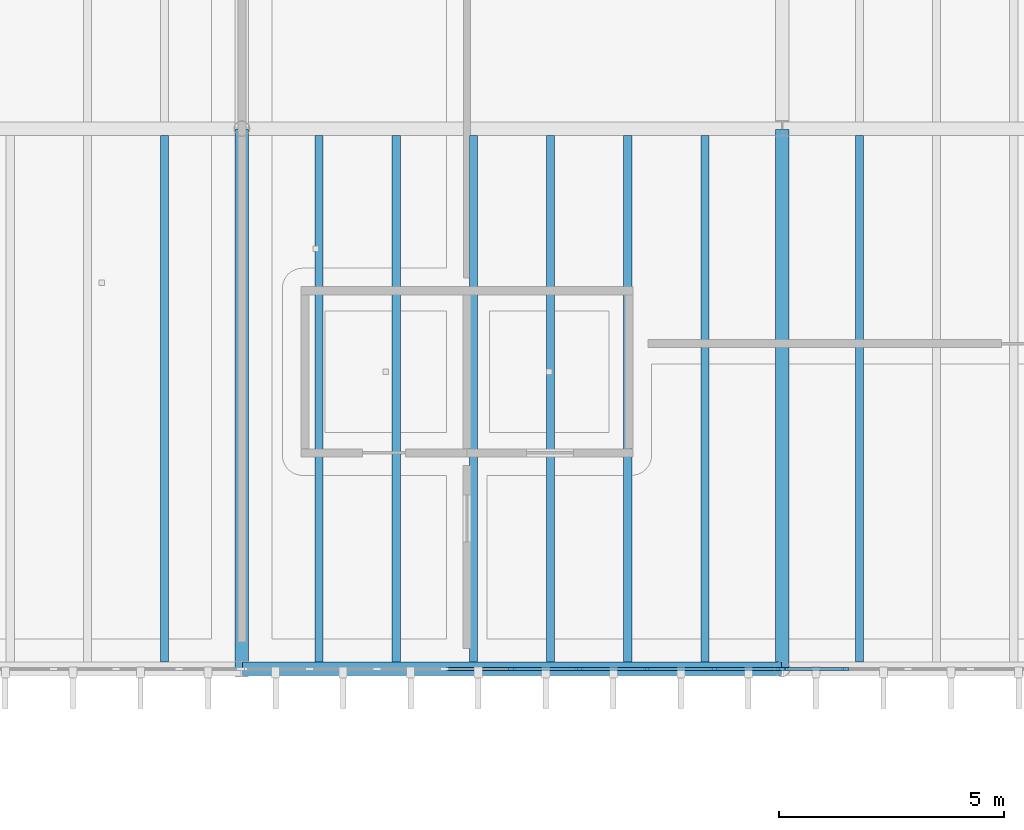
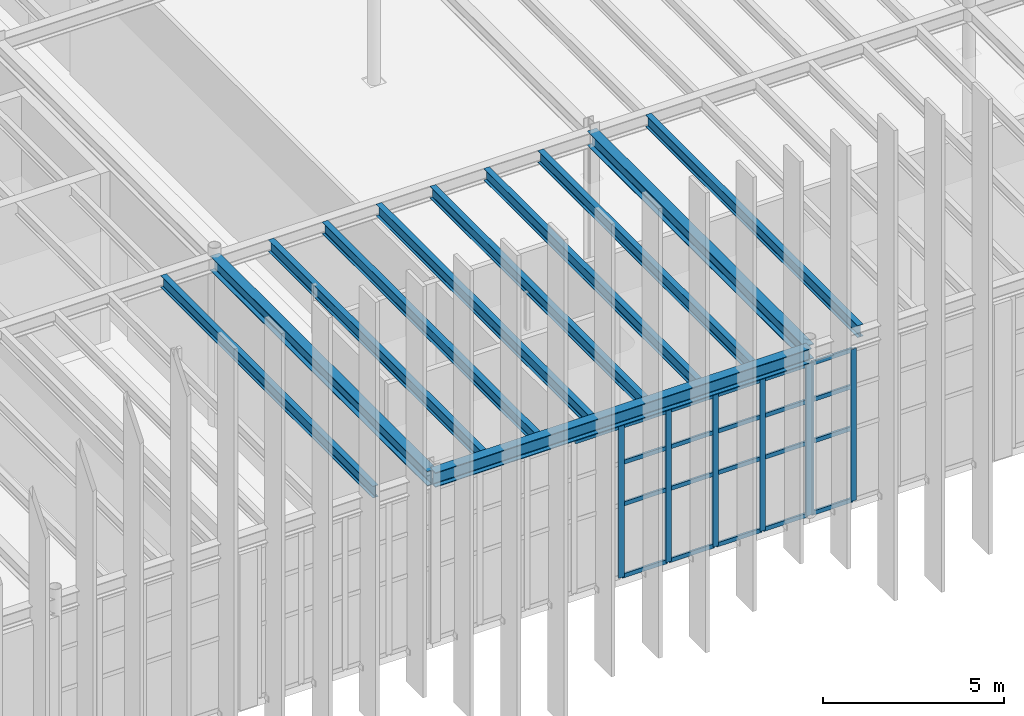
# One storey, part 18 of 83: 28 members, 11 beams, 2 elements without a shape of their own.
"""IFC4 building model written with IfcOpenShell, lengths in metres."""

from ifc_helpers import new_model, si_unit, direction, frame, origin, origin_2d, place, context, subcontext, project, spatial, rectangle, i_section, extrude, material, layer, layer_set, material_profile, profile_set, type_object, element, aggregate, save


model = new_model("IFC4")

# Units and contexts
model_context = context("Model", 3, precision=1e-05, world=origin(), true_north=direction((0.0, 1.0)))
body_context = subcontext(model_context, "Body", "Model", "MODEL_VIEW")
ifc_project = project(units=[si_unit("LENGTHUNIT", "METRE"), si_unit("AREAUNIT", "SQUARE_METRE"), si_unit("VOLUMEUNIT", "CUBIC_METRE"), si_unit("PLANEANGLEUNIT", "RADIAN"), si_unit("MASSUNIT", "GRAM", prefix="KILO")], contexts=[model_context])

# Site, building, storey
site_placement = place(None, origin())
site = spatial("IfcSite", under=ifc_project, at=site_placement, CompositionType="ELEMENT")
building_placement = place(site_placement, origin())
building = spatial("IfcBuilding", under=site, at=building_placement, Name="Zlatogorsky Bluff Art Gallery", CompositionType="ELEMENT")
storey_placement = place(building_placement, frame((0.0, 0.0, 10.800048828125)))
storey = spatial("IfcBuildingStorey", under=building, at=storey_placement, Name="L02", CompositionType="ELEMENT", Elevation=10.800048828125)

# Beams
ifc_material_1 = material(Name="Steel S355", Category="steel")
ifc_material_profile_1 = material_profile(ifc_material_1, i_section(OverallWidth=0.300048828125, OverallDepth=0.489990234375, WebThickness=0.011962890625, FlangeThickness=0.02294921875, FilletRadius=0.027099609375, at=origin_2d()), Name="HEA 500")
ifc_profile_set_1 = profile_set([ifc_material_profile_1], Name="Steel S355")
beam_type_1 = type_object("IfcBeamType", Name="Beam BM-07 HEA 500", PredefinedType="BEAM", material=ifc_profile_set_1)
for number, where, z_axis, x_axis, name in (
    (1, (48.014892578125, 84.0, 5.445068359375), (1.0, 0.0, 0.0), (0.0, 1.0, 0.0), "Primary girder BM-07 L02 E-F/9"),
    (2, (48.0, 84.014892578125, 5.445068359375), (0.0, 1.0, 0.0), (-1.0, 0.0, 0.0), "Primary girder BM-07 L02 E/9-10"),
    (3, (60.0, 84.014892578125, 5.445068359375), (0.0, 1.0, 0.0), (-1.0, 0.0, 0.0), "Primary girder BM-07 L02 F/9-10"),
):
    element("IfcBeam", number, at=place(storey_placement, frame(where, z_axis=z_axis, x_axis=x_axis)), inside=storey, type_object=beam_type_1, Name=name, PredefinedType="BEAM", context=body_context, shape_type="SweptSolid", body=[
        extrude(i_section(OverallWidth=0.300048828125, OverallDepth=0.489990234375, WebThickness=0.011962890625, FlangeThickness=0.02294921875, FilletRadius=0.027099609375, at=origin_2d()), origin(), (0.0, 0.0, 1.0), 11.97021484375),
    ])
ifc_material_profile_2 = material_profile(ifc_material_1, i_section(OverallWidth=0.179931640625, OverallDepth=0.39990234375, WebThickness=0.008544921875, FlangeThickness=0.013427734375, FilletRadius=0.02099609375, at=origin_2d()), Name="IPE 400")
ifc_profile_set_2 = profile_set([ifc_material_profile_2], Name="Steel S355")
beam_type_2 = type_object("IfcBeamType", Name="Beam JS-05 IPE 400", PredefinedType="JOIST", material=ifc_profile_set_2)
for number, where, z_axis, x_axis, name in (
    (4, (46.28564453125, 84.14990234375, 5.489990234375), (0.0, 1.0, 0.0), (-1.0, 0.0, 0.0), "Composite floor joist JS-05 L02 03.08.6"),
    (5, (49.71435546875, 84.14990234375, 5.489990234375), (0.0, 1.0, 0.0), (-1.0, 0.0, 0.0), "Composite floor joist JS-05 L02 04.08.1"),
    (6, (51.428466796875, 84.14990234375, 5.489990234375), (0.0, 1.0, 0.0), (-1.0, 0.0, 0.0), "Composite floor joist JS-05 L02 04.08.2"),
    (7, (53.142822265625, 84.14990234375, 5.489990234375), (0.0, 1.0, 0.0), (-1.0, 0.0, 0.0), "Composite floor joist JS-05 L02 04.08.3"),
    (8, (54.857177734375, 84.14990234375, 5.489990234375), (0.0, 1.0, 0.0), (-1.0, 0.0, 0.0), "Composite floor joist JS-05 L02 04.08.4"),
    (9, (56.571533203125, 84.14990234375, 5.489990234375), (0.0, 1.0, 0.0), (-1.0, 0.0, 0.0), "Composite floor joist JS-05 L02 04.08.5"),
    (10, (58.28564453125, 84.14990234375, 5.489990234375), (0.0, 1.0, 0.0), (-1.0, 0.0, 0.0), "Composite floor joist JS-05 L02 04.08.6"),
    (11, (61.71435546875, 84.14990234375, 5.489990234375), (0.0, 1.0, 0.0), (-1.0, 0.0, 0.0), "Composite floor joist JS-05 L02 05.08.1"),
):
    element("IfcBeam", number, at=place(storey_placement, frame(where, z_axis=z_axis, x_axis=x_axis)), inside=storey, type_object=beam_type_2, Name=name, PredefinedType="JOIST", context=body_context, shape_type="SweptSolid", body=[
        extrude(i_section(OverallWidth=0.179931640625, OverallDepth=0.39990234375, WebThickness=0.008544921875, FlangeThickness=0.013427734375, FilletRadius=0.02099609375, at=origin_2d()), origin(), (0.0, 0.0, 1.0), 11.7001953125),
    ])

# Curtain wall, members
ifc_material_2 = material(Name="Anodised Bronze Aluminium and Low-Iron Triple Glazing", Category="aluminium")
ifc_layer_1 = layer(ifc_material_2, 0.179931640625)
ifc_layer_set_1 = layer_set([ifc_layer_1], Name="Curtain Wall CW-01")
curtain_wall_type_1 = type_object("IfcCurtainWallType", Name="Curtain Wall CW-01", PredefinedType="USERDEFINED", material=ifc_layer_set_1)
curtain_wall_1_placement = place(storey_placement, origin())
curtain_wall_1 = element("IfcCurtainWall", 12, at=curtain_wall_1_placement, inside=storey, type_object=curtain_wall_type_1, Name="Unitised curtain wall CW-01 L02 S 4.8", ObjectType="CURTAIN WALL", PredefinedType="USERDEFINED")
ifc_material_3 = material(Name="Anodised Bronze Aluminium", Category="aluminium")
ifc_material_profile_3 = material_profile(ifc_material_3, rectangle(XDim=0.06494140625, YDim=0.179931640625, at=origin_2d()), Name="ALU MULLION 65x180")
ifc_profile_set_3 = profile_set([ifc_material_profile_3], Name="Anodised Bronze Aluminium")
member_type_1 = type_object("IfcMemberType", Name="Curtain Mullion ML-01", PredefinedType="MULLION", material=ifc_profile_set_3)
member_1_placement = place(storey_placement, frame((54.0, 84.0, 0.0), z_axis=(0.0, 0.0, 1.0), x_axis=(0.0, 1.0, 0.0)))
member_1 = element("IfcMember", 13, at=member_1_placement, type_object=member_type_1, Name="CW-01 mullion 5", PredefinedType="MULLION", context=body_context, shape_type="SweptSolid", body=[
    extrude(rectangle(XDim=0.06494140625, YDim=0.179931640625, at=origin_2d()), origin(), (0.0, 0.0, 1.0), 5.10986328125),
])
member_2_placement = place(storey_placement, frame((55.5, 84.0, 0.0), z_axis=(0.0, 0.0, 1.0), x_axis=(0.0, 1.0, 0.0)))
member_2 = element("IfcMember", 14, at=member_2_placement, type_object=member_type_1, Name="CW-01 mullion 6", PredefinedType="MULLION", context=body_context, shape_type="SweptSolid", body=[
    extrude(rectangle(XDim=0.06494140625, YDim=0.179931640625, at=origin_2d()), origin(), (0.0, 0.0, 1.0), 5.10986328125),
])
member_3_placement = place(storey_placement, frame((57.0, 84.0, 0.0), z_axis=(0.0, 0.0, 1.0), x_axis=(0.0, 1.0, 0.0)))
member_3 = element("IfcMember", 15, at=member_3_placement, type_object=member_type_1, Name="CW-01 mullion 7", PredefinedType="MULLION", context=body_context, shape_type="SweptSolid", body=[
    extrude(rectangle(XDim=0.06494140625, YDim=0.179931640625, at=origin_2d()), origin(), (0.0, 0.0, 1.0), 5.10986328125),
])
member_4_placement = place(storey_placement, frame((58.5, 84.0, 0.0), z_axis=(0.0, 0.0, 1.0), x_axis=(0.0, 1.0, 0.0)))
member_4 = element("IfcMember", 16, at=member_4_placement, type_object=member_type_1, Name="CW-01 mullion 8", PredefinedType="MULLION", context=body_context, shape_type="SweptSolid", body=[
    extrude(rectangle(XDim=0.06494140625, YDim=0.179931640625, at=origin_2d()), origin(), (0.0, 0.0, 1.0), 5.10986328125),
])
member_5_placement = place(storey_placement, frame((59.967529296875, 84.0, 0.0), z_axis=(0.0, 0.0, 1.0), x_axis=(0.0, 1.0, 0.0)))
member_5 = element("IfcMember", 17, at=member_5_placement, type_object=member_type_1, Name="CW-01 mullion 9", PredefinedType="MULLION", context=body_context, shape_type="SweptSolid", body=[
    extrude(rectangle(XDim=0.06494140625, YDim=0.179931640625, at=origin_2d()), origin(), (0.0, 0.0, 1.0), 5.10986328125),
])

ifc_layer_2 = layer(ifc_material_2, 0.199951171875)
ifc_layer_set_2 = layer_set([ifc_layer_2], Name="Curtain Wall CW-02")
curtain_wall_type_2 = type_object("IfcCurtainWallType", Name="Curtain Wall CW-02", PredefinedType="USERDEFINED", material=ifc_layer_set_2)
curtain_wall_2_placement = place(storey_placement, origin())
curtain_wall_2 = element("IfcCurtainWall", 18, at=curtain_wall_2_placement, inside=storey, type_object=curtain_wall_type_2, Name="Unitised curtain wall CW-02 L02 S 5.8-A", ObjectType="CURTAIN WALL", PredefinedType="USERDEFINED")
member_6_placement = place(storey_placement, frame((60.032470703125, 84.0, 0.0), z_axis=(0.0, 0.0, 1.0), x_axis=(0.0, 1.0, 0.0)))
member_6 = element("IfcMember", 19, at=member_6_placement, type_object=member_type_1, Name="CW-02 mullion 1", PredefinedType="MULLION", context=body_context, shape_type="SweptSolid", body=[
    extrude(rectangle(XDim=0.06494140625, YDim=0.179931640625, at=origin_2d()), origin(), (0.0, 0.0, 1.0), 5.10986328125),
])
member_7_placement = place(storey_placement, frame((61.39501953125, 84.0, 0.0), z_axis=(0.0, 0.0, 1.0), x_axis=(0.0, 1.0, 0.0)))
member_7 = element("IfcMember", 20, at=member_7_placement, type_object=member_type_1, Name="CW-02 mullion 2", PredefinedType="MULLION", context=body_context, shape_type="SweptSolid", body=[
    extrude(rectangle(XDim=0.06494140625, YDim=0.179931640625, at=origin_2d()), origin(), (0.0, 0.0, 1.0), 5.10986328125),
])

# Member
ifc_material_profile_4 = material_profile(ifc_material_3, rectangle(XDim=0.06494140625, YDim=0.139892578125, at=origin_2d()), Name="ALU TRANSOM 65x140")
ifc_profile_set_4 = profile_set([ifc_material_profile_4], Name="Anodised Bronze Aluminium")
member_type_2 = type_object("IfcMemberType", Name="Curtain Transom TR-01", PredefinedType="USERDEFINED", material=ifc_profile_set_4)
member_8_placement = place(storey_placement, frame((52.532470703125, 84.0, 5.077392578125), z_axis=(1.0, 0.0, 0.0), x_axis=(0.0, 1.0, 0.0)))
member_8 = element("IfcMember", 21, at=member_8_placement, type_object=member_type_2, Name="CW-01 transom 4.4", ObjectType="TRANSOM", PredefinedType="USERDEFINED", context=body_context, shape_type="SweptSolid", body=[
    extrude(rectangle(XDim=0.06494140625, YDim=0.139892578125, at=origin_2d()), origin(), (0.0, 0.0, 1.0), 1.43505859375),
])

member_9_placement = place(storey_placement, frame((54.032470703125, 84.0, 0.032470703125), z_axis=(1.0, 0.0, 0.0), x_axis=(0.0, 1.0, 0.0)))
member_9 = element("IfcMember", 22, at=member_9_placement, type_object=member_type_2, Name="CW-01 transom 5.1", ObjectType="TRANSOM", PredefinedType="USERDEFINED", context=body_context, shape_type="SweptSolid", body=[
    extrude(rectangle(XDim=0.06494140625, YDim=0.139892578125, at=origin_2d()), origin(), (0.0, 0.0, 1.0), 1.43505859375),
])

member_10_placement = place(storey_placement, frame((54.032470703125, 84.0, 2.449951171875), z_axis=(1.0, 0.0, 0.0), x_axis=(0.0, 1.0, 0.0)))
member_10 = element("IfcMember", 23, at=member_10_placement, type_object=member_type_2, Name="CW-01 transom 5.2", ObjectType="TRANSOM", PredefinedType="USERDEFINED", context=body_context, shape_type="SweptSolid", body=[
    extrude(rectangle(XDim=0.06494140625, YDim=0.139892578125, at=origin_2d()), origin(), (0.0, 0.0, 1.0), 1.43505859375),
])

member_11_placement = place(storey_placement, frame((54.032470703125, 84.0, 3.849853515625), z_axis=(1.0, 0.0, 0.0), x_axis=(0.0, 1.0, 0.0)))
member_11 = element("IfcMember", 24, at=member_11_placement, type_object=member_type_2, Name="CW-01 transom 5.3", ObjectType="TRANSOM", PredefinedType="USERDEFINED", context=body_context, shape_type="SweptSolid", body=[
    extrude(rectangle(XDim=0.06494140625, YDim=0.139892578125, at=origin_2d()), origin(), (0.0, 0.0, 1.0), 1.43505859375),
])

member_12_placement = place(storey_placement, frame((54.032470703125, 84.0, 5.077392578125), z_axis=(1.0, 0.0, 0.0), x_axis=(0.0, 1.0, 0.0)))
member_12 = element("IfcMember", 25, at=member_12_placement, type_object=member_type_2, Name="CW-01 transom 5.4", ObjectType="TRANSOM", PredefinedType="USERDEFINED", context=body_context, shape_type="SweptSolid", body=[
    extrude(rectangle(XDim=0.06494140625, YDim=0.139892578125, at=origin_2d()), origin(), (0.0, 0.0, 1.0), 1.43505859375),
])

member_13_placement = place(storey_placement, frame((55.532470703125, 84.0, 0.032470703125), z_axis=(1.0, 0.0, 0.0), x_axis=(0.0, 1.0, 0.0)))
member_13 = element("IfcMember", 26, at=member_13_placement, type_object=member_type_2, Name="CW-01 transom 6.1", ObjectType="TRANSOM", PredefinedType="USERDEFINED", context=body_context, shape_type="SweptSolid", body=[
    extrude(rectangle(XDim=0.06494140625, YDim=0.139892578125, at=origin_2d()), origin(), (0.0, 0.0, 1.0), 1.43505859375),
])

member_14_placement = place(storey_placement, frame((55.532470703125, 84.0, 2.449951171875), z_axis=(1.0, 0.0, 0.0), x_axis=(0.0, 1.0, 0.0)))
member_14 = element("IfcMember", 27, at=member_14_placement, type_object=member_type_2, Name="CW-01 transom 6.2", ObjectType="TRANSOM", PredefinedType="USERDEFINED", context=body_context, shape_type="SweptSolid", body=[
    extrude(rectangle(XDim=0.06494140625, YDim=0.139892578125, at=origin_2d()), origin(), (0.0, 0.0, 1.0), 1.43505859375),
])

member_15_placement = place(storey_placement, frame((55.532470703125, 84.0, 3.849853515625), z_axis=(1.0, 0.0, 0.0), x_axis=(0.0, 1.0, 0.0)))
member_15 = element("IfcMember", 28, at=member_15_placement, type_object=member_type_2, Name="CW-01 transom 6.3", ObjectType="TRANSOM", PredefinedType="USERDEFINED", context=body_context, shape_type="SweptSolid", body=[
    extrude(rectangle(XDim=0.06494140625, YDim=0.139892578125, at=origin_2d()), origin(), (0.0, 0.0, 1.0), 1.43505859375),
])

member_16_placement = place(storey_placement, frame((55.532470703125, 84.0, 5.077392578125), z_axis=(1.0, 0.0, 0.0), x_axis=(0.0, 1.0, 0.0)))
member_16 = element("IfcMember", 29, at=member_16_placement, type_object=member_type_2, Name="CW-01 transom 6.4", ObjectType="TRANSOM", PredefinedType="USERDEFINED", context=body_context, shape_type="SweptSolid", body=[
    extrude(rectangle(XDim=0.06494140625, YDim=0.139892578125, at=origin_2d()), origin(), (0.0, 0.0, 1.0), 1.43505859375),
])

member_17_placement = place(storey_placement, frame((57.032470703125, 84.0, 0.032470703125), z_axis=(1.0, 0.0, 0.0), x_axis=(0.0, 1.0, 0.0)))
member_17 = element("IfcMember", 30, at=member_17_placement, type_object=member_type_2, Name="CW-01 transom 7.1", ObjectType="TRANSOM", PredefinedType="USERDEFINED", context=body_context, shape_type="SweptSolid", body=[
    extrude(rectangle(XDim=0.06494140625, YDim=0.139892578125, at=origin_2d()), origin(), (0.0, 0.0, 1.0), 1.43505859375),
])

member_18_placement = place(storey_placement, frame((57.032470703125, 84.0, 2.449951171875), z_axis=(1.0, 0.0, 0.0), x_axis=(0.0, 1.0, 0.0)))
member_18 = element("IfcMember", 31, at=member_18_placement, type_object=member_type_2, Name="CW-01 transom 7.2", ObjectType="TRANSOM", PredefinedType="USERDEFINED", context=body_context, shape_type="SweptSolid", body=[
    extrude(rectangle(XDim=0.06494140625, YDim=0.139892578125, at=origin_2d()), origin(), (0.0, 0.0, 1.0), 1.43505859375),
])

member_19_placement = place(storey_placement, frame((57.032470703125, 84.0, 3.849853515625), z_axis=(1.0, 0.0, 0.0), x_axis=(0.0, 1.0, 0.0)))
member_19 = element("IfcMember", 32, at=member_19_placement, type_object=member_type_2, Name="CW-01 transom 7.3", ObjectType="TRANSOM", PredefinedType="USERDEFINED", context=body_context, shape_type="SweptSolid", body=[
    extrude(rectangle(XDim=0.06494140625, YDim=0.139892578125, at=origin_2d()), origin(), (0.0, 0.0, 1.0), 1.43505859375),
])

member_20_placement = place(storey_placement, frame((57.032470703125, 84.0, 5.077392578125), z_axis=(1.0, 0.0, 0.0), x_axis=(0.0, 1.0, 0.0)))
member_20 = element("IfcMember", 33, at=member_20_placement, type_object=member_type_2, Name="CW-01 transom 7.4", ObjectType="TRANSOM", PredefinedType="USERDEFINED", context=body_context, shape_type="SweptSolid", body=[
    extrude(rectangle(XDim=0.06494140625, YDim=0.139892578125, at=origin_2d()), origin(), (0.0, 0.0, 1.0), 1.43505859375),
])

member_21_placement = place(storey_placement, frame((58.532470703125, 84.0, 0.032470703125), z_axis=(1.0, 0.0, 0.0), x_axis=(0.0, 1.0, 0.0)))
member_21 = element("IfcMember", 34, at=member_21_placement, type_object=member_type_2, Name="CW-01 transom 8.1", ObjectType="TRANSOM", PredefinedType="USERDEFINED", context=body_context, shape_type="SweptSolid", body=[
    extrude(rectangle(XDim=0.06494140625, YDim=0.139892578125, at=origin_2d()), origin(), (0.0, 0.0, 1.0), 1.402587890625),
])

member_22_placement = place(storey_placement, frame((58.532470703125, 84.0, 2.449951171875), z_axis=(1.0, 0.0, 0.0), x_axis=(0.0, 1.0, 0.0)))
member_22 = element("IfcMember", 35, at=member_22_placement, type_object=member_type_2, Name="CW-01 transom 8.2", ObjectType="TRANSOM", PredefinedType="USERDEFINED", context=body_context, shape_type="SweptSolid", body=[
    extrude(rectangle(XDim=0.06494140625, YDim=0.139892578125, at=origin_2d()), origin(), (0.0, 0.0, 1.0), 1.402587890625),
])

member_23_placement = place(storey_placement, frame((58.532470703125, 84.0, 3.849853515625), z_axis=(1.0, 0.0, 0.0), x_axis=(0.0, 1.0, 0.0)))
member_23 = element("IfcMember", 36, at=member_23_placement, type_object=member_type_2, Name="CW-01 transom 8.3", ObjectType="TRANSOM", PredefinedType="USERDEFINED", context=body_context, shape_type="SweptSolid", body=[
    extrude(rectangle(XDim=0.06494140625, YDim=0.139892578125, at=origin_2d()), origin(), (0.0, 0.0, 1.0), 1.402587890625),
])

member_24_placement = place(storey_placement, frame((58.532470703125, 84.0, 5.077392578125), z_axis=(1.0, 0.0, 0.0), x_axis=(0.0, 1.0, 0.0)))
member_24 = element("IfcMember", 37, at=member_24_placement, type_object=member_type_2, Name="CW-01 transom 8.4", ObjectType="TRANSOM", PredefinedType="USERDEFINED", context=body_context, shape_type="SweptSolid", body=[
    extrude(rectangle(XDim=0.06494140625, YDim=0.139892578125, at=origin_2d()), origin(), (0.0, 0.0, 1.0), 1.402587890625),
])

aggregate(curtain_wall_1, [member_1, member_2, member_3, member_4, member_5, member_8, member_9, member_10, member_11, member_12, member_13, member_14, member_15, member_16, member_17, member_18, member_19, member_20, member_21, member_22, member_23, member_24])

member_25_placement = place(storey_placement, frame((60.06494140625, 84.0, 0.032470703125), z_axis=(1.0, 0.0, 0.0), x_axis=(0.0, 1.0, 0.0)))
member_25 = element("IfcMember", 38, at=member_25_placement, type_object=member_type_2, Name="CW-02 transom 1.1", ObjectType="TRANSOM", PredefinedType="USERDEFINED", context=body_context, shape_type="SweptSolid", body=[
    extrude(rectangle(XDim=0.06494140625, YDim=0.139892578125, at=origin_2d()), origin(), (0.0, 0.0, 1.0), 1.297607421875),
])

member_26_placement = place(storey_placement, frame((60.06494140625, 84.0, 2.449951171875), z_axis=(1.0, 0.0, 0.0), x_axis=(0.0, 1.0, 0.0)))
member_26 = element("IfcMember", 39, at=member_26_placement, type_object=member_type_2, Name="CW-02 transom 1.2", ObjectType="TRANSOM", PredefinedType="USERDEFINED", context=body_context, shape_type="SweptSolid", body=[
    extrude(rectangle(XDim=0.06494140625, YDim=0.139892578125, at=origin_2d()), origin(), (0.0, 0.0, 1.0), 1.297607421875),
])

member_27_placement = place(storey_placement, frame((60.06494140625, 84.0, 3.849853515625), z_axis=(1.0, 0.0, 0.0), x_axis=(0.0, 1.0, 0.0)))
member_27 = element("IfcMember", 40, at=member_27_placement, type_object=member_type_2, Name="CW-02 transom 1.3", ObjectType="TRANSOM", PredefinedType="USERDEFINED", context=body_context, shape_type="SweptSolid", body=[
    extrude(rectangle(XDim=0.06494140625, YDim=0.139892578125, at=origin_2d()), origin(), (0.0, 0.0, 1.0), 1.297607421875),
])

member_28_placement = place(storey_placement, frame((60.06494140625, 84.0, 5.077392578125), z_axis=(1.0, 0.0, 0.0), x_axis=(0.0, 1.0, 0.0)))
member_28 = element("IfcMember", 41, at=member_28_placement, type_object=member_type_2, Name="CW-02 transom 1.4", ObjectType="TRANSOM", PredefinedType="USERDEFINED", context=body_context, shape_type="SweptSolid", body=[
    extrude(rectangle(XDim=0.06494140625, YDim=0.139892578125, at=origin_2d()), origin(), (0.0, 0.0, 1.0), 1.297607421875),
])

aggregate(curtain_wall_2, [member_6, member_7, member_25, member_26, member_27, member_28])

save(model, "model.ifc")
